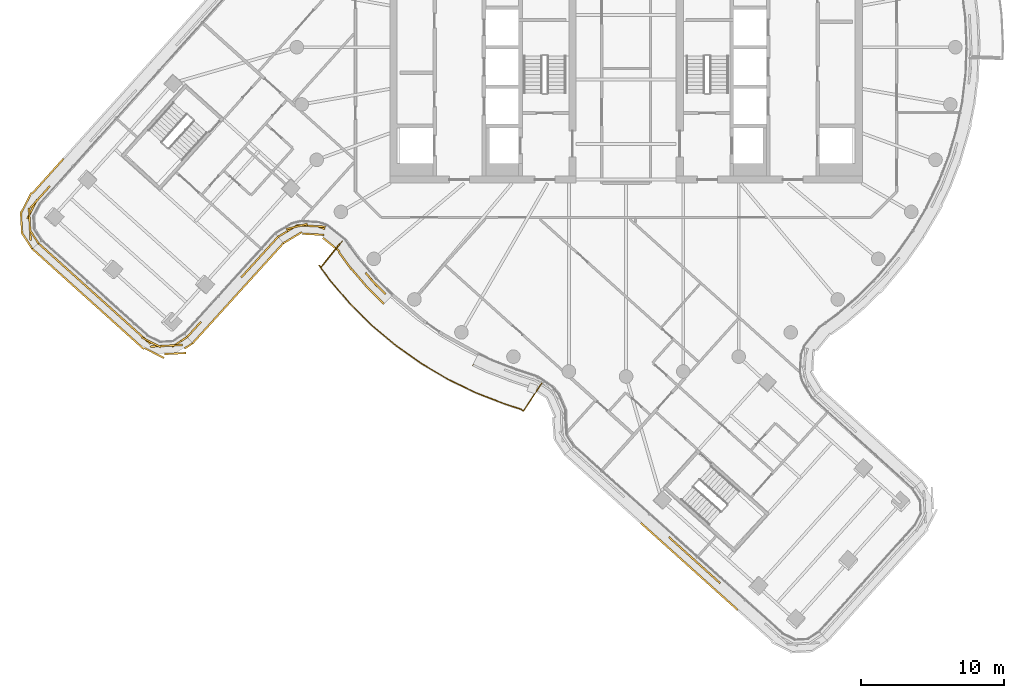
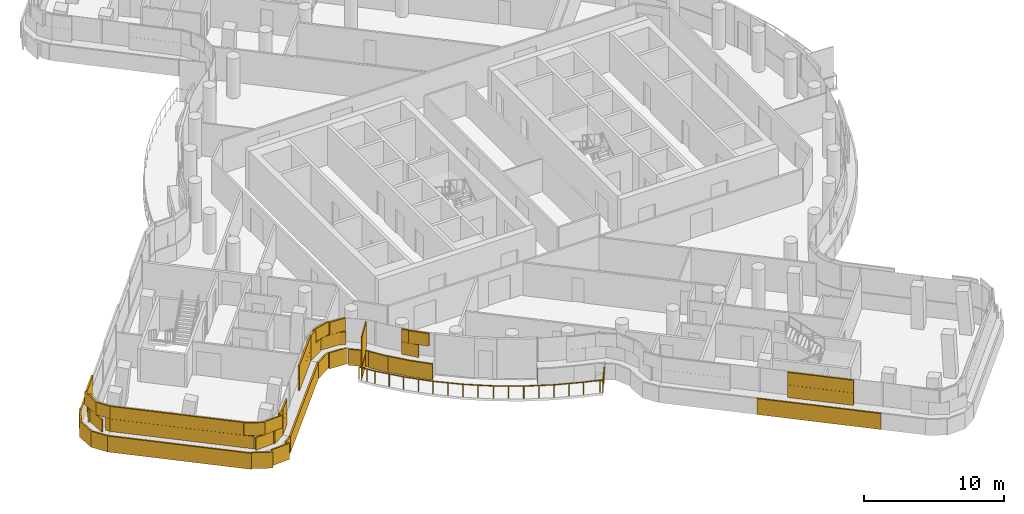
# One storey, part 24 of 31: 5 coverings, 1 railing, 1 shading device.
"""IFC4 building model written with IfcOpenShell, lengths in metres."""

from ifc_helpers import new_model, si_unit, direction, frame, origin, origin_2d, place, context, subcontext, project, spatial, rectangle, circle, extrude, material, layer, layer_set, type_object, element, save


model = new_model("IFC4")

# Units and contexts
model_context = context("Model", 3, precision=1e-05, world=origin(), true_north=direction((0.0, 1.0)))
body_context = subcontext(model_context, "Body", "Model", "MODEL_VIEW")
ifc_project = project(units=[si_unit("LENGTHUNIT", "METRE"), si_unit("AREAUNIT", "SQUARE_METRE"), si_unit("VOLUMEUNIT", "CUBIC_METRE"), si_unit("PLANEANGLEUNIT", "RADIAN"), si_unit("MASSUNIT", "GRAM", prefix="KILO")], contexts=[model_context])

# Site, building, storey
site_placement = place(None, origin())
site = spatial("IfcSite", under=ifc_project, at=site_placement, CompositionType="ELEMENT")
building_placement = place(site_placement, origin())
building = spatial("IfcBuilding", under=site, at=building_placement, Name="Tamarind Cross Interchange Tower", CompositionType="ELEMENT")
storey_placement = place(building_placement, frame((0.0, 0.0, 207.699951171875)))
storey = spatial("IfcBuildingStorey", under=building, at=storey_placement, Name="L52", CompositionType="ELEMENT", Elevation=207.699951171875)

# Railing
ifc_material_1 = material(Name="Stainless steel and laminated glass", Category="steel")
railing_type = type_object("IfcRailingType", Name="Balcony guard", PredefinedType="BALUSTRADE", material=ifc_material_1)
railing_placement = place(storey_placement, frame((-19.82958984375, -13.552001953125, 0.0)))
element("IfcRailing", 1, at=railing_placement, inside=storey, type_object=railing_type, Name="Balcony guard 02", PredefinedType="BALUSTRADE", context=body_context, shape_type="SweptSolid", body=[
    extrude(circle(Radius=0.02490234375, at=origin_2d()), frame((0.0, 0.0, 1.0751953125), z_axis=(-0.628665281885, -0.777676001528, 0.0), x_axis=(0.777676001528, -0.628665281885, 0.0)), (0.0, 0.0, 1.0), 2.320068359375),
    extrude(circle(Radius=0.02490234375, at=origin_2d()), frame((-1.45849609375, -1.80419921875, 1.0751953125), z_axis=(-0.777491991316, 0.628892839392, 0.0), x_axis=(-0.628892839392, -0.777491991316, 0.0)), (0.0, 0.0, 1.0), 0.18408203125),
    extrude(circle(Radius=0.02490234375, at=origin_2d()), frame((-1.6015625, -1.6884765625, 1.0751953125), z_axis=(0.585711216173, -0.810519815457, 0.0), x_axis=(0.810519815457, 0.585711216173, 0.0)), (0.0, 0.0, 1.0), 1.252197265625),
    extrude(circle(Radius=0.02490234375, at=origin_2d()), frame((-0.8681640625, -2.703369140625, 1.0751953125), z_axis=(0.649615734167, -0.760262716383, 0.0), x_axis=(0.760262716383, 0.649615734167, 0.0)), (0.0, 0.0, 1.0), 2.17333984375),
    extrude(circle(Radius=0.02490234375, at=origin_2d()), frame((0.543701171875, -4.355712890625, 1.0751953125), z_axis=(0.710130717242, -0.704069857635, 0.0), x_axis=(0.704069857635, 0.710130717242, 0.0)), (0.0, 0.0, 1.0), 2.17529296875),
    extrude(circle(Radius=0.02490234375, at=origin_2d()), frame((2.08837890625, -5.88720703125, 1.0751953125), z_axis=(0.765879503455, -0.642984125922, 0.0), x_axis=(0.642984125922, 0.765879503455, 0.0)), (0.0, 0.0, 1.0), 2.17529296875),
    extrude(circle(Radius=0.02490234375, at=origin_2d()), frame((3.75439453125, -7.285888671875, 1.0751953125), z_axis=(0.81632657602, -0.577590617379, 0.0), x_axis=(0.577590617379, 0.81632657602, 0.0)), (0.0, 0.0, 1.0), 2.175048828125),
    extrude(circle(Radius=0.02490234375, at=origin_2d()), frame((5.530029296875, -8.542236328125, 1.0751953125), z_axis=(0.861223570169, -0.508226290333, 0.0), x_axis=(0.508226290333, 0.861223570169, 0.0)), (0.0, 0.0, 1.0), 2.175048828125),
    extrude(circle(Radius=0.02490234375, at=origin_2d()), frame((7.4033203125, -9.647705078125, 1.0751953125), z_axis=(0.90029690694, -0.435276325285, 0.0), x_axis=(0.435276325285, 0.90029690694, 0.0)), (0.0, 0.0, 1.0), 2.175048828125),
    extrude(circle(Radius=0.02490234375, at=origin_2d()), frame((9.361572265625, -10.594482421875, 1.0751953125), z_axis=(0.933130419549, -0.359538064899, 0.0), x_axis=(0.359538064899, 0.933130419549, 0.0)), (0.0, 0.0, 1.0), 2.13623046875),
    extrude(circle(Radius=0.02490234375, at=origin_2d()), frame((11.35498046875, -11.362548828125, 1.0751953125), z_axis=(0.949702372013, -0.313153963081, 0.0), x_axis=(0.313153963081, 0.949702372013, 0.0)), (0.0, 0.0, 1.0), 1.192138671875),
    extrude(circle(Radius=0.02490234375, at=origin_2d()), frame((12.487060546875, -11.73583984375, 1.0751953125), z_axis=(0.835675901912, -0.549222893699, 0.0), x_axis=(0.549222893699, 0.835675901912, 0.0)), (0.0, 0.0, 1.0), 0.216552734375),
    extrude(circle(Radius=0.02490234375, at=origin_2d()), frame((12.66796875, -11.854736328125, 1.0751953125), z_axis=(0.549102289925, 0.835755152661, 0.0), x_axis=(-0.835755152661, 0.549102289925, 0.0)), (0.0, 0.0, 1.0), 2.320068359375),
    extrude(circle(Radius=0.02001953125, at=origin_2d()), origin(), (0.0, 0.0, 1.0), 1.050048828125),
    extrude(circle(Radius=0.02001953125, at=origin_2d()), frame((-0.729248046875, -0.902099609375, 0.0)), (0.0, 0.0, 1.0), 1.050048828125),
    extrude(circle(Radius=0.02001953125, at=origin_2d()), frame((-1.45849609375, -1.80419921875, 0.0)), (0.0, 0.0, 1.0), 1.050048828125),
    extrude(circle(Radius=0.02001953125, at=origin_2d()), frame((-1.6015625, -1.6884765625, 0.0)), (0.0, 0.0, 1.0), 1.050048828125),
    extrude(circle(Radius=0.02001953125, at=origin_2d()), frame((-1.23486328125, -2.19580078125, 0.0)), (0.0, 0.0, 1.0), 1.050048828125),
    extrude(circle(Radius=0.02001953125, at=origin_2d()), frame((-0.8681640625, -2.703369140625, 0.0)), (0.0, 0.0, 1.0), 1.050048828125),
    extrude(circle(Radius=0.02001953125, at=origin_2d()), frame((-0.162109375, -3.529541015625, 0.0)), (0.0, 0.0, 1.0), 1.050048828125),
    extrude(circle(Radius=0.02001953125, at=origin_2d()), frame((0.543701171875, -4.355712890625, 0.0)), (0.0, 0.0, 1.0), 1.050048828125),
    extrude(circle(Radius=0.02001953125, at=origin_2d()), frame((1.31591796875, -5.12158203125, 0.0)), (0.0, 0.0, 1.0), 1.050048828125),
    extrude(circle(Radius=0.02001953125, at=origin_2d()), frame((2.08837890625, -5.88720703125, 0.0)), (0.0, 0.0, 1.0), 1.050048828125),
    extrude(circle(Radius=0.02001953125, at=origin_2d()), frame((2.92138671875, -6.58642578125, 0.0)), (0.0, 0.0, 1.0), 1.050048828125),
    extrude(circle(Radius=0.02001953125, at=origin_2d()), frame((3.75439453125, -7.285888671875, 0.0)), (0.0, 0.0, 1.0), 1.050048828125),
    extrude(circle(Radius=0.02001953125, at=origin_2d()), frame((4.64208984375, -7.9140625, 0.0)), (0.0, 0.0, 1.0), 1.050048828125),
    extrude(circle(Radius=0.02001953125, at=origin_2d()), frame((5.530029296875, -8.542236328125, 0.0)), (0.0, 0.0, 1.0), 1.050048828125),
    extrude(circle(Radius=0.02001953125, at=origin_2d()), frame((6.466796875, -9.094970703125, 0.0)), (0.0, 0.0, 1.0), 1.050048828125),
    extrude(circle(Radius=0.02001953125, at=origin_2d()), frame((7.4033203125, -9.647705078125, 0.0)), (0.0, 0.0, 1.0), 1.050048828125),
    extrude(circle(Radius=0.02001953125, at=origin_2d()), frame((8.38232421875, -10.12109375, 0.0)), (0.0, 0.0, 1.0), 1.050048828125),
    extrude(circle(Radius=0.02001953125, at=origin_2d()), frame((9.361572265625, -10.594482421875, 0.0)), (0.0, 0.0, 1.0), 1.050048828125),
    extrude(circle(Radius=0.02001953125, at=origin_2d()), frame((10.3583984375, -10.978515625, 0.0)), (0.0, 0.0, 1.0), 1.050048828125),
    extrude(circle(Radius=0.02001953125, at=origin_2d()), frame((11.35498046875, -11.362548828125, 0.0)), (0.0, 0.0, 1.0), 1.050048828125),
    extrude(circle(Radius=0.02001953125, at=origin_2d()), frame((12.487060546875, -11.73583984375, 0.0)), (0.0, 0.0, 1.0), 1.050048828125),
    extrude(circle(Radius=0.02001953125, at=origin_2d()), frame((12.66796875, -11.854736328125, 0.0)), (0.0, 0.0, 1.0), 1.050048828125),
    extrude(circle(Radius=0.02001953125, at=origin_2d()), frame((13.304931640625, -10.88525390625, 0.0)), (0.0, 0.0, 1.0), 1.050048828125),
    extrude(circle(Radius=0.02001953125, at=origin_2d()), frame((13.94189453125, -9.915771484375, 0.0)), (0.0, 0.0, 1.0), 1.050048828125),
])

# Shading device
ifc_material_2 = material(Name="Bronze-finish aluminium louvre", Category="aluminium")
ifc_layer_1 = layer(ifc_material_2, 0.080078125)
ifc_layer_set_1 = layer_set([ifc_layer_1], Name="Bronze-finish aluminium louvre")
shading_device_type = type_object("IfcShadingDeviceType", Name="Operable louvre bay", PredefinedType="JALOUSIE", material=ifc_layer_set_1)
shading_device_placement = place(storey_placement, origin())
element("IfcShadingDevice", 2, at=shading_device_placement, inside=storey, type_object=shading_device_type, Name="LVR-L52-BAL02", PredefinedType="JALOUSIE", context=body_context, shape_type="SweptSolid", body=[
    extrude(rectangle(XDim=1.89990234375, YDim=0.080078125, at=origin_2d()), frame((-20.58935546875, -14.463134765625, 0.0), z_axis=(0.0, 0.0, 1.0), x_axis=(-0.628656553315, -0.777683057533, 0.0)), (0.0, 0.0, 1.0), 3.60009765625),
])

# Coverings
ifc_material_3 = material(Name="Terracotta", Category="masonry")
ifc_layer_2 = layer(ifc_material_3, 0.1201171875)
ifc_layer_set_2 = layer_set([ifc_layer_2], Name="Terracotta")
covering_type = type_object("IfcCoveringType", Name="Terracotta baguette screen unit", PredefinedType="MOLDING", material=ifc_layer_set_2)
covering_1_placement = place(storey_placement, origin())
element("IfcCovering", 3, at=covering_1_placement, inside=storey, type_object=covering_type, Name="SCR-L52-00-00", PredefinedType="MOLDING", context=body_context, shape_type="SweptSolid", body=[
    extrude(rectangle(XDim=1.510009765625, YDim=0.1201171875, at=origin_2d()), frame((-40.486572265625, -14.19873046875, 1.40380859375), z_axis=(0.0, 0.0, 1.0), x_axis=(0.743854461689, -0.668341634065, 0.0)), (0.0, 0.0, 1.0), 1.092041015625),
    extrude(rectangle(XDim=1.52001953125, YDim=0.1201171875, at=origin_2d()), frame((-39.370849609375, -15.201171875, 1.40380859375), z_axis=(0.0, 0.0, 1.0), x_axis=(0.743854461689, -0.668341634065, 0.0)), (0.0, 0.0, 1.0), 1.092041015625),
    extrude(rectangle(XDim=1.52001953125, YDim=0.1201171875, at=origin_2d()), frame((-38.255126953125, -16.20361328125, 1.40380859375), z_axis=(0.0, 0.0, 1.0), x_axis=(0.743854461689, -0.668341634065, 0.0)), (0.0, 0.0, 1.0), 1.092041015625),
    extrude(rectangle(XDim=1.52001953125, YDim=0.1201171875, at=origin_2d()), frame((-37.139404296875, -17.2060546875, 1.40380859375), z_axis=(0.0, 0.0, 1.0), x_axis=(0.743854461689, -0.668341634065, 0.0)), (0.0, 0.0, 1.0), 1.092041015625),
    extrude(rectangle(XDim=1.52001953125, YDim=0.1201171875, at=origin_2d()), frame((-36.0234375, -18.208740234375, 1.40380859375), z_axis=(0.0, 0.0, 1.0), x_axis=(0.743854461689, -0.668341634065, 0.0)), (0.0, 0.0, 1.0), 1.092041015625),
    extrude(rectangle(XDim=1.52001953125, YDim=0.1201171875, at=origin_2d()), frame((-34.90771484375, -19.211181640625, 1.40380859375), z_axis=(0.0, 0.0, 1.0), x_axis=(0.743854461689, -0.668341634065, 0.0)), (0.0, 0.0, 1.0), 1.092041015625),
    extrude(rectangle(XDim=1.52001953125, YDim=0.1201171875, at=origin_2d()), frame((-33.7919921875, -20.213623046875, 1.40380859375), z_axis=(0.0, 0.0, 1.0), x_axis=(0.743854461689, -0.668341634065, 0.0)), (0.0, 0.0, 1.0), 1.092041015625),
    extrude(rectangle(XDim=1.52001953125, YDim=0.1201171875, at=origin_2d()), frame((-32.478515625, -20.873779296875, 1.40380859375), z_axis=(0.0, 0.0, 1.0), x_axis=(0.998573435673, 0.053395632479, 0.0)), (0.0, 0.0, 1.0), 1.092041015625),
    extrude(rectangle(XDim=1.259521484375, YDim=0.1201171875, at=origin_2d()), frame((-31.177490234375, -20.58056640625, 1.40380859375), z_axis=(0.0, 0.0, 1.0), x_axis=(0.838092146598, 0.545528692015, 0.0)), (0.0, 0.0, 1.0), 1.092041015625),
    extrude(rectangle(XDim=0.760009765625, YDim=0.1201171875, at=origin_2d()), frame((-40.765625, -13.947998046875, 2.50390625), z_axis=(0.0, 0.0, 1.0), x_axis=(0.743854461689, -0.668341634065, 0.0)), (0.0, 0.0, 1.0), 1.092041015625),
    extrude(rectangle(XDim=1.52001953125, YDim=0.1201171875, at=origin_2d()), frame((-39.9287109375, -14.699951171875, 2.50390625), z_axis=(0.0, 0.0, 1.0), x_axis=(0.743854461689, -0.668341634065, 0.0)), (0.0, 0.0, 1.0), 1.092041015625),
    extrude(rectangle(XDim=1.52001953125, YDim=0.1201171875, at=origin_2d()), frame((-38.81298828125, -15.702392578125, 2.50390625), z_axis=(0.0, 0.0, 1.0), x_axis=(0.743854461689, -0.668341634065, 0.0)), (0.0, 0.0, 1.0), 1.092041015625),
    extrude(rectangle(XDim=1.52001953125, YDim=0.1201171875, at=origin_2d()), frame((-37.697265625, -16.704833984375, 2.50390625), z_axis=(0.0, 0.0, 1.0), x_axis=(0.743854461689, -0.668341634065, 0.0)), (0.0, 0.0, 1.0), 1.092041015625),
    extrude(rectangle(XDim=1.52001953125, YDim=0.1201171875, at=origin_2d()), frame((-36.58154296875, -17.70751953125, 2.50390625), z_axis=(0.0, 0.0, 1.0), x_axis=(0.743854461689, -0.668341634065, 0.0)), (0.0, 0.0, 1.0), 1.092041015625),
    extrude(rectangle(XDim=1.52001953125, YDim=0.1201171875, at=origin_2d()), frame((-35.465576171875, -18.7099609375, 2.50390625), z_axis=(0.0, 0.0, 1.0), x_axis=(0.743854461689, -0.668341634065, 0.0)), (0.0, 0.0, 1.0), 1.092041015625),
    extrude(rectangle(XDim=1.52001953125, YDim=0.1201171875, at=origin_2d()), frame((-34.349853515625, -19.71240234375, 2.50390625), z_axis=(0.0, 0.0, 1.0), x_axis=(0.743854461689, -0.668341634065, 0.0)), (0.0, 0.0, 1.0), 1.092041015625),
    extrude(rectangle(XDim=1.52001953125, YDim=0.1201171875, at=origin_2d()), frame((-33.163818359375, -20.6123046875, 2.50390625), z_axis=(0.0, 0.0, 1.0), x_axis=(0.891487779077, -0.453044743658, 0.0)), (0.0, 0.0, 1.0), 1.092041015625),
    extrude(rectangle(XDim=1.52001953125, YDim=0.1201171875, at=origin_2d()), frame((-31.729736328125, -20.833740234375, 2.50390625), z_axis=(0.0, 0.0, 1.0), x_axis=(0.998573435673, 0.053395632479, 0.0)), (0.0, 0.0, 1.0), 1.092041015625),
    extrude(rectangle(XDim=0.509521484375, YDim=0.1201171875, at=origin_2d()), frame((-30.863037109375, -20.3759765625, 2.50390625), z_axis=(0.0, 0.0, 1.0), x_axis=(0.838092146598, 0.545528692015, 0.0)), (0.0, 0.0, 1.0), 1.092041015625),
    extrude(rectangle(XDim=1.510009765625, YDim=0.1201171875, at=origin_2d()), frame((-40.9228515625, -14.578369140625, 0.00390625), z_axis=(0.0, 0.0, 1.0), x_axis=(0.743854461689, -0.668341634065, 0.0)), (0.0, 0.0, 1.0), 1.39208984375),
    extrude(rectangle(XDim=1.52001953125, YDim=0.1201171875, at=origin_2d()), frame((-39.810791015625, -15.57763671875, 0.00390625), z_axis=(0.0, 0.0, 1.0), x_axis=(0.743854461689, -0.668341634065, 0.0)), (0.0, 0.0, 1.0), 1.39208984375),
    extrude(rectangle(XDim=1.52001953125, YDim=0.1201171875, at=origin_2d()), frame((-38.69482421875, -16.580078125, 0.00390625), z_axis=(0.0, 0.0, 1.0), x_axis=(0.743854461689, -0.668341634065, 0.0)), (0.0, 0.0, 1.0), 1.39208984375),
    extrude(rectangle(XDim=1.52001953125, YDim=0.1201171875, at=origin_2d()), frame((-37.5791015625, -17.58251953125, 0.00390625), z_axis=(0.0, 0.0, 1.0), x_axis=(0.743854461689, -0.668341634065, 0.0)), (0.0, 0.0, 1.0), 1.39208984375),
    extrude(rectangle(XDim=1.52001953125, YDim=0.1201171875, at=origin_2d()), frame((-36.46337890625, -18.585205078125, 0.00390625), z_axis=(0.0, 0.0, 1.0), x_axis=(0.743854461689, -0.668341634065, 0.0)), (0.0, 0.0, 1.0), 1.39208984375),
    extrude(rectangle(XDim=1.52001953125, YDim=0.1201171875, at=origin_2d()), frame((-35.34765625, -19.587646484375, 0.00390625), z_axis=(0.0, 0.0, 1.0), x_axis=(0.743854461689, -0.668341634065, 0.0)), (0.0, 0.0, 1.0), 1.39208984375),
    extrude(rectangle(XDim=1.52001953125, YDim=0.1201171875, at=origin_2d()), frame((-34.23193359375, -20.590087890625, 0.00390625), z_axis=(0.0, 0.0, 1.0), x_axis=(0.743854461689, -0.668341634065, 0.0)), (0.0, 0.0, 1.0), 1.39208984375),
    extrude(rectangle(XDim=1.52001953125, YDim=0.1201171875, at=origin_2d()), frame((-32.957275390625, -21.361328125, 0.00390625), z_axis=(0.0, 0.0, 1.0), x_axis=(0.891487779077, -0.453044743658, 0.0)), (0.0, 0.0, 1.0), 1.39208984375),
    extrude(rectangle(XDim=1.52001953125, YDim=0.1201171875, at=origin_2d()), frame((-31.483642578125, -21.395263671875, 0.00390625), z_axis=(0.0, 0.0, 1.0), x_axis=(0.998573435673, 0.053395632479, 0.0)), (0.0, 0.0, 1.0), 1.39208984375),
    extrude(rectangle(XDim=0.675537109375, YDim=0.1201171875, at=origin_2d()), frame((-30.5615234375, -20.86474609375, 0.00390625), z_axis=(0.0, 0.0, 1.0), x_axis=(0.838092146598, 0.545528692015, 0.0)), (0.0, 0.0, 1.0), 1.39208984375),
])
covering_2_placement = place(storey_placement, origin())
element("IfcCovering", 4, at=covering_2_placement, inside=storey, type_object=covering_type, Name="SCR-L52-01-00", PredefinedType="MOLDING", context=body_context, shape_type="SweptSolid", body=[
    extrude(rectangle(XDim=1.426513671875, YDim=0.1201171875, at=origin_2d()), frame((-30.174560546875, -19.71142578125, 1.40380859375), z_axis=(0.0, 0.0, 1.0), x_axis=(0.671790221919, 0.74074145134, 0.0)), (0.0, 0.0, 1.0), 1.092041015625),
    extrude(rectangle(XDim=0.383544921875, YDim=0.1201171875, at=origin_2d()), frame((-26.74853515625, -15.933837890625, 1.40380859375), z_axis=(0.0, 0.0, 1.0), x_axis=(0.671790221919, 0.74074145134, 0.0)), (0.0, 0.0, 1.0), 1.092041015625),
    extrude(rectangle(XDim=1.52001953125, YDim=0.1201171875, at=origin_2d()), frame((-26.119140625, -15.23974609375, 1.40380859375), z_axis=(0.0, 0.0, 1.0), x_axis=(0.671790221919, 0.74074145134, 0.0)), (0.0, 0.0, 1.0), 1.092041015625),
    extrude(rectangle(XDim=1.52001953125, YDim=0.1201171875, at=origin_2d()), frame((-25.111572265625, -14.128662109375, 1.40380859375), z_axis=(0.0, 0.0, 1.0), x_axis=(0.671790221919, 0.74074145134, 0.0)), (0.0, 0.0, 1.0), 1.092041015625),
    extrude(rectangle(XDim=0.458740234375, YDim=0.1201171875, at=origin_2d()), frame((-24.45703125, -13.406982421875, 1.40380859375), z_axis=(0.0, 0.0, 1.0), x_axis=(0.671790221919, 0.74074145134, 0.0)), (0.0, 0.0, 1.0), 1.092041015625),
    extrude(rectangle(XDim=0.760009765625, YDim=0.1201171875, at=origin_2d()), frame((-30.40185546875, -19.962158203125, 2.50390625), z_axis=(0.0, 0.0, 1.0), x_axis=(0.671790221919, 0.74074145134, 0.0)), (0.0, 0.0, 1.0), 1.092041015625),
    extrude(rectangle(XDim=0.6865234375, YDim=0.1201171875, at=origin_2d()), frame((-29.9228515625, -19.433837890625, 2.50390625), z_axis=(0.0, 0.0, 1.0), x_axis=(0.671790221919, 0.74074145134, 0.0)), (0.0, 0.0, 1.0), 1.092041015625),
    extrude(rectangle(XDim=1.133544921875, YDim=0.1201171875, at=origin_2d()), frame((-26.49658203125, -15.656005859375, 2.50390625), z_axis=(0.0, 0.0, 1.0), x_axis=(0.671790221919, 0.74074145134, 0.0)), (0.0, 0.0, 1.0), 1.092041015625),
    extrude(rectangle(XDim=1.52001953125, YDim=0.1201171875, at=origin_2d()), frame((-25.615478515625, -14.684326171875, 2.50390625), z_axis=(0.0, 0.0, 1.0), x_axis=(0.671790221919, 0.74074145134, 0.0)), (0.0, 0.0, 1.0), 1.092041015625),
    extrude(rectangle(XDim=1.208740234375, YDim=0.1201171875, at=origin_2d()), frame((-24.708984375, -13.684814453125, 2.50390625), z_axis=(0.0, 0.0, 1.0), x_axis=(0.671790221919, 0.74074145134, 0.0)), (0.0, 0.0, 1.0), 1.092041015625),
    extrude(rectangle(XDim=1.510009765625, YDim=0.1201171875, at=origin_2d()), frame((-29.771240234375, -20.12109375, 0.00390625), z_axis=(0.0, 0.0, 1.0), x_axis=(0.671790221919, 0.74074145134, 0.0)), (0.0, 0.0, 1.0), 1.39208984375),
    extrude(rectangle(XDim=1.52001953125, YDim=0.1201171875, at=origin_2d()), frame((-28.766845703125, -19.013671875, 0.00390625), z_axis=(0.0, 0.0, 1.0), x_axis=(0.671790221919, 0.74074145134, 0.0)), (0.0, 0.0, 1.0), 1.39208984375),
    extrude(rectangle(XDim=1.52001953125, YDim=0.1201171875, at=origin_2d()), frame((-27.75927734375, -17.902587890625, 0.00390625), z_axis=(0.0, 0.0, 1.0), x_axis=(0.671790221919, 0.74074145134, 0.0)), (0.0, 0.0, 1.0), 1.39208984375),
    extrude(rectangle(XDim=1.52001953125, YDim=0.1201171875, at=origin_2d()), frame((-26.75146484375, -16.79150390625, 0.00390625), z_axis=(0.0, 0.0, 1.0), x_axis=(0.671790221919, 0.74074145134, 0.0)), (0.0, 0.0, 1.0), 1.39208984375),
    extrude(rectangle(XDim=1.52001953125, YDim=0.1201171875, at=origin_2d()), frame((-25.743896484375, -15.680419921875, 0.00390625), z_axis=(0.0, 0.0, 1.0), x_axis=(0.671790221919, 0.74074145134, 0.0)), (0.0, 0.0, 1.0), 1.39208984375),
    extrude(rectangle(XDim=1.52001953125, YDim=0.1201171875, at=origin_2d()), frame((-24.736083984375, -14.5693359375, 0.00390625), z_axis=(0.0, 0.0, 1.0), x_axis=(0.671790221919, 0.74074145134, 0.0)), (0.0, 0.0, 1.0), 1.39208984375),
    extrude(rectangle(XDim=0.447998046875, YDim=0.1201171875, at=origin_2d()), frame((-24.088623046875, -13.855224609375, 0.00390625), z_axis=(0.0, 0.0, 1.0), x_axis=(0.671790221919, 0.74074145134, 0.0)), (0.0, 0.0, 1.0), 1.39208984375),
])
covering_3_placement = place(storey_placement, origin())
element("IfcCovering", 5, at=covering_3_placement, inside=storey, type_object=covering_type, Name="SCR-L52-02-00", PredefinedType="MOLDING", context=body_context, shape_type="SweptSolid", body=[
    extrude(rectangle(XDim=1.510009765625, YDim=0.1201171875, at=origin_2d()), frame((-23.6630859375, -12.854736328125, 1.40380859375), z_axis=(0.0, 0.0, 1.0), x_axis=(0.857421414621, 0.51461492181, 0.0)), (0.0, 0.0, 1.0), 1.092041015625),
    extrude(rectangle(XDim=1.52001953125, YDim=0.1201171875, at=origin_2d()), frame((-22.25634765625, -12.470703125, 1.40380859375), z_axis=(0.0, 0.0, 1.0), x_axis=(0.998434481527, -0.055933765269, 0.0)), (0.0, 0.0, 1.0), 1.092041015625),
    extrude(rectangle(XDim=0.510498046875, YDim=0.1201171875, at=origin_2d()), frame((-21.274658203125, -12.6083984375, 1.40380859375), z_axis=(0.0, 0.0, 1.0), x_axis=(0.937916041911, -0.346862362223, 0.0)), (0.0, 0.0, 1.0), 1.092041015625),
    extrude(rectangle(XDim=1.309326171875, YDim=0.1201171875, at=origin_2d()), frame((-17.776123046875, -16.241943359375, 1.40380859375), z_axis=(0.0, 0.0, 1.0), x_axis=(0.64957723968, -0.760295606781, 0.0)), (0.0, 0.0, 1.0), 1.092041015625),
    extrude(rectangle(XDim=0.760009765625, YDim=0.1201171875, at=origin_2d()), frame((-23.984619140625, -13.0478515625, 2.50390625), z_axis=(0.0, 0.0, 1.0), x_axis=(0.857421414621, 0.51461492181, 0.0)), (0.0, 0.0, 1.0), 1.092041015625),
    extrude(rectangle(XDim=1.52001953125, YDim=0.1201171875, at=origin_2d()), frame((-22.995849609375, -12.527587890625, 2.50390625), z_axis=(0.0, 0.0, 1.0), x_axis=(0.970789229392, 0.239933891097, 0.0)), (0.0, 0.0, 1.0), 1.092041015625),
    extrude(rectangle(XDim=1.260498046875, YDim=0.1201171875, at=origin_2d()), frame((-21.632080078125, -12.505615234375, 2.50390625), z_axis=(0.0, 0.0, 1.0), x_axis=(0.998434481527, -0.055933765269, 0.0)), (0.0, 0.0, 1.0), 1.092041015625),
    extrude(rectangle(XDim=0.559326171875, YDim=0.1201171875, at=origin_2d()), frame((-18.019775390625, -15.956787109375, 2.50390625), z_axis=(0.0, 0.0, 1.0), x_axis=(0.64957723968, -0.760295606781, 0.0)), (0.0, 0.0, 1.0), 1.092041015625),
    extrude(rectangle(XDim=1.52001953125, YDim=0.1201171875, at=origin_2d()), frame((-17.326416015625, -16.710205078125, 2.50390625), z_axis=(0.0, 0.0, 1.0), x_axis=(0.710143317658, -0.704057148523, 0.0)), (0.0, 0.0, 1.0), 1.092041015625),
    extrude(rectangle(XDim=1.510009765625, YDim=0.1201171875, at=origin_2d()), frame((-23.290771484375, -13.30078125, 0.00390625), z_axis=(0.0, 0.0, 1.0), x_axis=(0.857421414621, 0.51461492181, 0.0)), (0.0, 0.0, 1.0), 1.39208984375),
    extrude(rectangle(XDim=1.52001953125, YDim=0.1201171875, at=origin_2d()), frame((-21.859130859375, -13.06787109375, 0.00390625), z_axis=(0.0, 0.0, 1.0), x_axis=(0.998434481527, -0.055933765269, 0.0)), (0.0, 0.0, 1.0), 1.39208984375),
    extrude(rectangle(XDim=1.52001953125, YDim=0.1201171875, at=origin_2d()), frame((-20.58935546875, -13.79150390625, 0.00390625), z_axis=(0.0, 0.0, 1.0), x_axis=(0.777683057533, -0.628656553315, 0.0)), (0.0, 0.0, 1.0), 1.39208984375),
    extrude(rectangle(XDim=1.52001953125, YDim=0.1201171875, at=origin_2d()), frame((-19.619140625, -14.920654296875, 0.00390625), z_axis=(0.0, 0.0, 1.0), x_axis=(0.585800810365, -0.810455063884, 0.0)), (0.0, 0.0, 1.0), 1.39208984375),
    extrude(rectangle(XDim=1.52001953125, YDim=0.1201171875, at=origin_2d()), frame((-18.669189453125, -16.080322265625, 0.00390625), z_axis=(0.0, 0.0, 1.0), x_axis=(0.64957723968, -0.760295606781, 0.0)), (0.0, 0.0, 1.0), 1.39208984375),
    extrude(rectangle(XDim=1.52001953125, YDim=0.1201171875, at=origin_2d()), frame((-17.65966796875, -17.18798828125, 0.00390625), z_axis=(0.0, 0.0, 1.0), x_axis=(0.710143317658, -0.704057148523, 0.0)), (0.0, 0.0, 1.0), 1.39208984375),
    extrude(rectangle(XDim=0.31787109375, YDim=0.1201171875, at=origin_2d()), frame((-17.021240234375, -17.821044921875, 0.00390625), z_axis=(0.0, 0.0, 1.0), x_axis=(0.710143317658, -0.704057148523, 0.0)), (0.0, 0.0, 1.0), 1.39208984375),
    extrude(rectangle(XDim=0.03076171875, YDim=0.1201171875, at=origin_2d()), frame((-10.689453125, -22.199951171875, 0.00390625), z_axis=(0.0, 0.0, 1.0), x_axis=(0.900272776334, -0.435326231914, 0.0)), (0.0, 0.0, 1.0), 1.39208984375),
])
covering_4_placement = place(storey_placement, origin())
element("IfcCovering", 6, at=covering_4_placement, inside=storey, type_object=covering_type, Name="SCR-L52-03-01", PredefinedType="MOLDING", context=body_context, shape_type="SweptSolid", body=[
    extrude(rectangle(XDim=1.300537109375, YDim=0.1201171875, at=origin_2d()), frame((3.475341796875, -34.65380859375, 1.40380859375), z_axis=(0.0, 0.0, 1.0), x_axis=(0.743854461689, -0.668341634065, 0.0)), (0.0, 0.0, 1.0), 1.092041015625),
    extrude(rectangle(XDim=1.52001953125, YDim=0.1201171875, at=origin_2d()), frame((4.51318359375, -35.58642578125, 1.40380859375), z_axis=(0.0, 0.0, 1.0), x_axis=(0.743854461689, -0.668341634065, 0.0)), (0.0, 0.0, 1.0), 1.092041015625),
    extrude(rectangle(XDim=1.52001953125, YDim=0.1201171875, at=origin_2d()), frame((5.62890625, -36.5888671875, 1.40380859375), z_axis=(0.0, 0.0, 1.0), x_axis=(0.743854461689, -0.668341634065, 0.0)), (0.0, 0.0, 1.0), 1.092041015625),
    extrude(rectangle(XDim=0.530029296875, YDim=0.1201171875, at=origin_2d()), frame((6.38037109375, -37.263916015625, 1.40380859375), z_axis=(0.0, 0.0, 1.0), x_axis=(0.743854461689, -0.668341634065, 0.0)), (0.0, 0.0, 1.0), 1.092041015625),
    extrude(rectangle(XDim=0.550537109375, YDim=0.1201171875, at=origin_2d()), frame((3.1962890625, -34.4033203125, 2.50390625), z_axis=(0.0, 0.0, 1.0), x_axis=(0.743854461689, -0.668341634065, 0.0)), (0.0, 0.0, 1.0), 1.092041015625),
    extrude(rectangle(XDim=1.52001953125, YDim=0.1201171875, at=origin_2d()), frame((3.955322265625, -35.085205078125, 2.50390625), z_axis=(0.0, 0.0, 1.0), x_axis=(0.743854461689, -0.668341634065, 0.0)), (0.0, 0.0, 1.0), 1.092041015625),
    extrude(rectangle(XDim=1.52001953125, YDim=0.1201171875, at=origin_2d()), frame((5.071044921875, -36.087646484375, 2.50390625), z_axis=(0.0, 0.0, 1.0), x_axis=(0.743854461689, -0.668341634065, 0.0)), (0.0, 0.0, 1.0), 1.092041015625),
    extrude(rectangle(XDim=1.280029296875, YDim=0.1201171875, at=origin_2d()), frame((6.101318359375, -37.013427734375, 2.50390625), z_axis=(0.0, 0.0, 1.0), x_axis=(0.743854461689, -0.668341634065, 0.0)), (0.0, 0.0, 1.0), 1.092041015625),
    extrude(rectangle(XDim=0.3466796875, YDim=0.1201171875, at=origin_2d()), frame((1.1640625, -33.348876953125, 0.00390625), z_axis=(0.0, 0.0, 1.0), x_axis=(0.743854461689, -0.668341634065, 0.0)), (0.0, 0.0, 1.0), 1.39208984375),
    extrude(rectangle(XDim=1.52001953125, YDim=0.1201171875, at=origin_2d()), frame((1.843505859375, -33.95947265625, 0.00390625), z_axis=(0.0, 0.0, 1.0), x_axis=(0.743854461689, -0.668341634065, 0.0)), (0.0, 0.0, 1.0), 1.39208984375),
    extrude(rectangle(XDim=1.52001953125, YDim=0.1201171875, at=origin_2d()), frame((2.959228515625, -34.9619140625, 0.00390625), z_axis=(0.0, 0.0, 1.0), x_axis=(0.743854461689, -0.668341634065, 0.0)), (0.0, 0.0, 1.0), 1.39208984375),
    extrude(rectangle(XDim=1.52001953125, YDim=0.1201171875, at=origin_2d()), frame((4.074951171875, -35.96435546875, 0.00390625), z_axis=(0.0, 0.0, 1.0), x_axis=(0.743854461689, -0.668341634065, 0.0)), (0.0, 0.0, 1.0), 1.39208984375),
    extrude(rectangle(XDim=1.52001953125, YDim=0.1201171875, at=origin_2d()), frame((5.190673828125, -36.967041015625, 0.00390625), z_axis=(0.0, 0.0, 1.0), x_axis=(0.743854461689, -0.668341634065, 0.0)), (0.0, 0.0, 1.0), 1.39208984375),
    extrude(rectangle(XDim=1.52001953125, YDim=0.1201171875, at=origin_2d()), frame((6.306640625, -37.969482421875, 0.00390625), z_axis=(0.0, 0.0, 1.0), x_axis=(0.743854461689, -0.668341634065, 0.0)), (0.0, 0.0, 1.0), 1.39208984375),
    extrude(rectangle(XDim=1.252197265625, YDim=0.1201171875, at=origin_2d()), frame((7.32275390625, -38.882568359375, 0.00390625), z_axis=(0.0, 0.0, 1.0), x_axis=(0.743854461689, -0.668341634065, 0.0)), (0.0, 0.0, 1.0), 1.39208984375),
])
covering_5_placement = place(storey_placement, origin())
element("IfcCovering", 7, at=covering_5_placement, inside=storey, type_object=covering_type, Name="SCR-L52-11-02", PredefinedType="MOLDING", context=body_context, shape_type="SweptSolid", body=[
    extrude(rectangle(XDim=1.2900390625, YDim=0.1201171875, at=origin_2d()), frame((-40.672607421875, -10.174072265625, 1.40380859375), z_axis=(0.0, 0.0, 1.0), x_axis=(-0.668341634065, -0.743854461689, 0.0)), (0.0, 0.0, 1.0), 1.092041015625),
    extrude(rectangle(XDim=1.52001953125, YDim=0.1201171875, at=origin_2d()), frame((-41.47265625, -11.296142578125, 1.40380859375), z_axis=(0.0, 0.0, 1.0), x_axis=(-0.453044743658, -0.891487779077, 0.0)), (0.0, 0.0, 1.0), 1.092041015625),
    extrude(rectangle(XDim=1.52001953125, YDim=0.1201171875, at=origin_2d()), frame((-41.6318359375, -12.743408203125, 1.40380859375), z_axis=(0.0, 0.0, 1.0), x_axis=(0.053395632479, -0.998573435673, 0.0)), (0.0, 0.0, 1.0), 1.092041015625),
    extrude(rectangle(XDim=0.387451171875, YDim=0.1201171875, at=origin_2d()), frame((-41.1474609375, -13.539306640625, 1.40380859375), z_axis=(0.0, 0.0, 1.0), x_axis=(0.545528692015, -0.838092146598, 0.0)), (0.0, 0.0, 1.0), 1.092041015625),
    extrude(rectangle(XDim=0.5400390625, YDim=0.1201171875, at=origin_2d()), frame((-40.421875, -9.89501953125, 2.50390625), z_axis=(0.0, 0.0, 1.0), x_axis=(-0.668341634065, -0.743854461689, 0.0)), (0.0, 0.0, 1.0), 1.092041015625),
    extrude(rectangle(XDim=1.52001953125, YDim=0.1201171875, at=origin_2d()), frame((-41.100341796875, -10.64990234375, 2.50390625), z_axis=(0.0, 0.0, 1.0), x_axis=(-0.668341634065, -0.743854461689, 0.0)), (0.0, 0.0, 1.0), 1.092041015625),
    extrude(rectangle(XDim=1.52001953125, YDim=0.1201171875, at=origin_2d()), frame((-41.671875, -11.99462890625, 2.50390625), z_axis=(0.0, 0.0, 1.0), x_axis=(0.053395632479, -0.998573435673, 0.0)), (0.0, 0.0, 1.0), 1.092041015625),
    extrude(rectangle(XDim=1.137451171875, YDim=0.1201171875, at=origin_2d()), frame((-41.35205078125, -13.224853515625, 2.50390625), z_axis=(0.0, 0.0, 1.0), x_axis=(0.545528692015, -0.838092146598, 0.0)), (0.0, 0.0, 1.0), 1.092041015625),
    extrude(rectangle(XDim=0.267822265625, YDim=0.1201171875, at=origin_2d()), frame((-39.390380859375, -7.88818359375, 0.00390625), z_axis=(0.0, 0.0, 1.0), x_axis=(-0.668341634065, -0.743854461689, 0.0)), (0.0, 0.0, 1.0), 1.39208984375),
    extrude(rectangle(XDim=1.52001953125, YDim=0.1201171875, at=origin_2d()), frame((-39.974365234375, -8.5380859375, 0.00390625), z_axis=(0.0, 0.0, 1.0), x_axis=(-0.668341634065, -0.743854461689, 0.0)), (0.0, 0.0, 1.0), 1.39208984375),
    extrude(rectangle(XDim=1.52001953125, YDim=0.1201171875, at=origin_2d()), frame((-40.97705078125, -9.65380859375, 0.00390625), z_axis=(0.0, 0.0, 1.0), x_axis=(-0.668341634065, -0.743854461689, 0.0)), (0.0, 0.0, 1.0), 1.39208984375),
    extrude(rectangle(XDim=1.52001953125, YDim=0.1201171875, at=origin_2d()), frame((-41.882568359375, -10.836181640625, 0.00390625), z_axis=(0.0, 0.0, 1.0), x_axis=(-0.453044743658, -0.891487779077, 0.0)), (0.0, 0.0, 1.0), 1.39208984375),
    extrude(rectangle(XDim=1.52001953125, YDim=0.1201171875, at=origin_2d()), frame((-42.233642578125, -12.242919921875, 0.00390625), z_axis=(0.0, 0.0, 1.0), x_axis=(0.053395632479, -0.998573435673, 0.0)), (0.0, 0.0, 1.0), 1.39208984375),
    extrude(rectangle(XDim=1.302734375, YDim=0.1201171875, at=origin_2d()), frame((-41.839599609375, -13.528076171875, 0.00390625), z_axis=(0.0, 0.0, 1.0), x_axis=(0.545528692015, -0.838092146598, 0.0)), (0.0, 0.0, 1.0), 1.39208984375),
])

save(model, "model.ifc")
